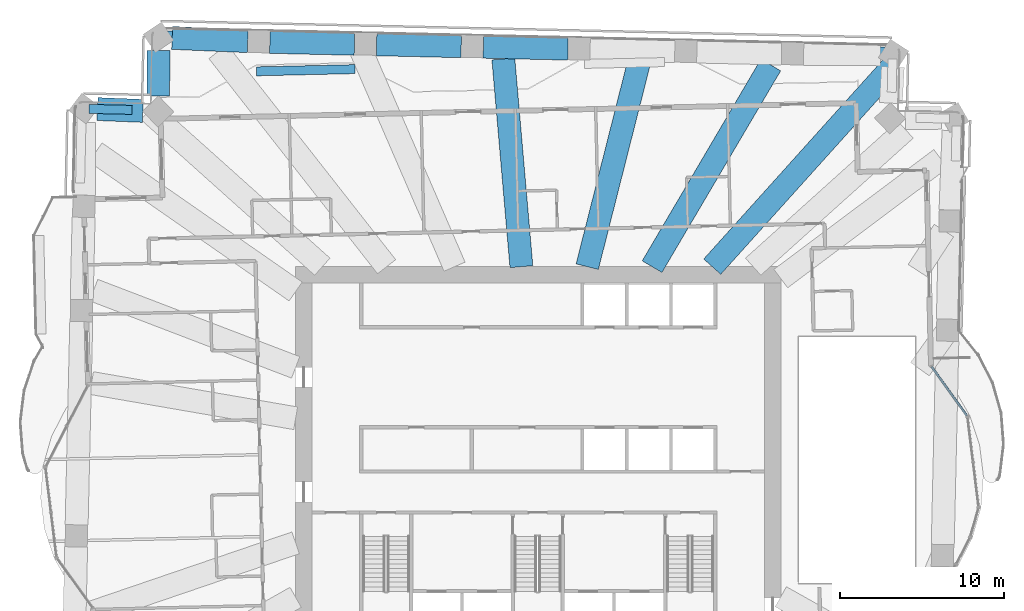
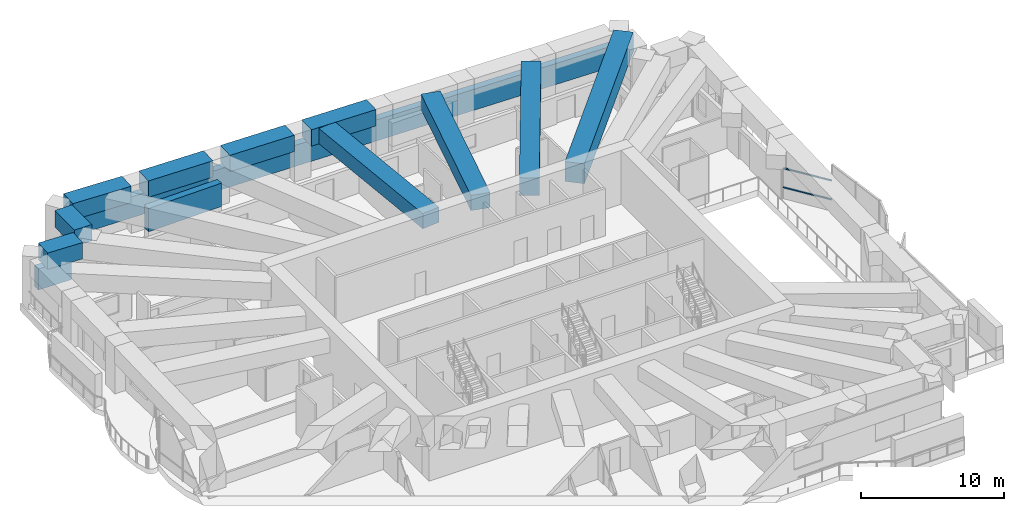
# One storey, part 6 of 21: 10 beams, 5 members, 1 element without a shape of its own.
"""IFC4 building model written with IfcOpenShell, lengths in metres."""

from ifc_helpers import new_model, si_unit, direction, frame, origin, origin_2d, place, context, subcontext, project, spatial, rectangle, extrude, material, material_profile, profile_set, type_object, element, aggregate, save


model = new_model("IFC4")

# Units and contexts
model_context = context("Model", 3, precision=1e-05, world=origin(), true_north=direction((0.0, 1.0)))
body_context = subcontext(model_context, "Body", "Model", "MODEL_VIEW")
ifc_project = project(units=[si_unit("LENGTHUNIT", "METRE"), si_unit("AREAUNIT", "SQUARE_METRE"), si_unit("VOLUMEUNIT", "CUBIC_METRE"), si_unit("PLANEANGLEUNIT", "RADIAN"), si_unit("MASSUNIT", "GRAM", prefix="KILO")], contexts=[model_context])

# Site, building, storey
site_placement = place(None, origin())
site = spatial("IfcSite", under=ifc_project, at=site_placement, CompositionType="ELEMENT")
building_placement = place(site_placement, origin())
building = spatial("IfcBuilding", under=site, at=building_placement, Name="Mangrove Gate Tower", CompositionType="ELEMENT")
storey_placement = place(building_placement, frame((0.0, 0.0, 125.5)))
storey = spatial("IfcBuildingStorey", under=building, at=storey_placement, Name="L31", CompositionType="ELEMENT", Elevation=125.5)

# Members
ifc_material_1 = material(Name="Planting on aluminium trellis", Category="aluminium")
ifc_material_profile_1 = material_profile(ifc_material_1, rectangle(XDim=0.550048828125, YDim=2.0, at=origin_2d()))
ifc_profile_set_1 = profile_set([ifc_material_profile_1], Name="Planting on aluminium trellis")
member_type_1 = type_object("IfcMemberType", Name="Balcony greenery screen 550x2000", PredefinedType="USERDEFINED", material=ifc_profile_set_1)
member_1_placement = place(storey_placement, frame((-17.179931640625, 23.718017578125, 1.800048828125), z_axis=(0.999743178102, 0.022662255828, 0.0), x_axis=(-0.022662255828, 0.999743178102, 0.0)))
element("IfcMember", 1, at=member_1_placement, inside=storey, type_object=member_type_1, Name="GREEN SCREEN L31 N1.1", ObjectType="PLANTING", PredefinedType="USERDEFINED", context=body_context, shape_type="SweptSolid", body=[
    extrude(rectangle(XDim=0.550048828125, YDim=2.0, at=origin_2d()), origin(), (0.0, 0.0, 1.0), 6.00048828125),
])
ifc_material_2 = material(Name="Planting on aluminium trellis", Category="aluminium")
ifc_material_profile_2 = material_profile(ifc_material_2, rectangle(XDim=0.550048828125, YDim=1.800048828125, at=origin_2d()))
ifc_profile_set_2 = profile_set([ifc_material_profile_2], Name="Planting on aluminium trellis")
member_type_2 = type_object("IfcMemberType", Name="Roof greenery screen 550x1800", PredefinedType="USERDEFINED", material=ifc_profile_set_2)
member_2_placement = place(storey_placement, frame((-27.412109375, 21.426025390625, 1.699951171875), z_axis=(0.999740783297, -0.022767657165, 0.0), x_axis=(0.022767657165, 0.999740783297, 0.0)))
element("IfcMember", 2, at=member_2_placement, inside=storey, type_object=member_type_2, Name="GREEN SCREEN L31 T1.2.6", ObjectType="PLANTING", PredefinedType="USERDEFINED", context=body_context, shape_type="SweptSolid", body=[
    extrude(rectangle(XDim=0.550048828125, YDim=1.800048828125, at=origin_2d()), origin(), (0.0, 0.0, 1.0), 2.637939453125),
])
member_3_placement = place(storey_placement, frame((-22.708984375, 25.919921875, 1.699951171875), z_axis=(0.999742770494, -0.022680230258, 0.0), x_axis=(0.022680230258, 0.999742770494, 0.0)))
element("IfcMember", 3, at=member_3_placement, inside=storey, type_object=member_type_2, Name="GREEN SCREEN L31 T1.3.6", ObjectType="PLANTING", PredefinedType="USERDEFINED", context=body_context, shape_type="SweptSolid", body=[
    extrude(rectangle(XDim=0.550048828125, YDim=1.800048828125, at=origin_2d()), origin(), (0.0, 0.0, 1.0), 43.908203125),
])

# Curtain wall, members
ifc_material_3 = material(Name="Aluminium and glass curtain wall", Category="aluminium")
curtain_wall_type = type_object("IfcCurtainWallType", Name="Sky-lounge glazing wall", PredefinedType="NOTDEFINED", material=ifc_material_3)
curtain_wall_placement = place(storey_placement, origin())
curtain_wall = element("IfcCurtainWall", 4, at=curtain_wall_placement, inside=storey, type_object=curtain_wall_type, Name="Sky-lounge glazing E1f5", PredefinedType="NOTDEFINED")
ifc_material_4 = material(Name="Aluminium alloy 6063-T6", Category="aluminium")
ifc_material_profile_3 = material_profile(ifc_material_4, rectangle(XDim=0.06005859375, YDim=0.139892578125, at=origin_2d()))
ifc_profile_set_3 = profile_set([ifc_material_profile_3], Name="Aluminium alloy 6063-T6")
member_type_3 = type_object("IfcMemberType", Name="Sky-lounge glazing transom 60x140", PredefinedType="USERDEFINED", material=ifc_profile_set_3)
member_4_placement = place(storey_placement, frame((26.15283203125, 2.70263671875, 1.0), z_axis=(-0.583653741827, 0.812002653722, 0.0), x_axis=(0.0, 0.0, 1.0)))
member_4 = element("IfcMember", 5, at=member_4_placement, type_object=member_type_3, Name="CWK transom 1.2", ObjectType="TRANSOM", PredefinedType="USERDEFINED", context=body_context, shape_type="SweptSolid", body=[
    extrude(rectangle(XDim=0.06005859375, YDim=0.139892578125, at=origin_2d()), origin(), (0.0, 0.0, 1.0), 3.696044921875),
])
member_5_placement = place(storey_placement, frame((26.15283203125, 2.70263671875, 2.6201171875), z_axis=(-0.583653741827, 0.812002653722, 0.0), x_axis=(0.0, 0.0, 1.0)))
member_5 = element("IfcMember", 6, at=member_5_placement, type_object=member_type_3, Name="CWK transom 1.3", ObjectType="TRANSOM", PredefinedType="USERDEFINED", context=body_context, shape_type="SweptSolid", body=[
    extrude(rectangle(XDim=0.06005859375, YDim=0.139892578125, at=origin_2d()), origin(), (0.0, 0.0, 1.0), 3.696044921875),
])
aggregate(curtain_wall, [member_4, member_5])

# Beams
ifc_material_5 = material(Name="Concrete C70/85", Category="concrete")
ifc_material_profile_4 = material_profile(ifc_material_5, rectangle(XDim=1.39990234375, YDim=1.300048828125, at=origin_2d()))
ifc_profile_set_4 = profile_set([ifc_material_profile_4], Name="Concrete C70/85")
beam_type_1 = type_object("IfcBeamType", Name="Transfer girder RC 1400x1300 C70/85", PredefinedType="BEAM", material=ifc_profile_set_4)
beam_1_placement = place(storey_placement, frame((2.99072265625, 11.800048828125, 3.39990234375), z_axis=(0.245669767442, 0.969353581189, 0.0), x_axis=(-0.969353581189, 0.245669767442, 0.0)))
element("IfcBeam", 7, at=beam_1_placement, inside=storey, type_object=beam_type_1, Name="Transfer girder L31 21", PredefinedType="BEAM", context=body_context, shape_type="SweptSolid", body=[
    extrude(rectangle(XDim=1.39990234375, YDim=1.300048828125, at=origin_2d()), origin(), (0.0, 0.0, 1.0), 12.898193359375),
])
beam_2_placement = place(storey_placement, frame((-1.0263671875, 11.800048828125, 3.39990234375), z_axis=(-0.086642862806, 0.996239436242, 0.0), x_axis=(-0.996239436242, -0.086642862806, 0.0)))
element("IfcBeam", 8, at=beam_2_placement, inside=storey, type_object=beam_type_1, Name="Transfer girder L31 22", PredefinedType="BEAM", context=body_context, shape_type="SweptSolid", body=[
    extrude(rectangle(XDim=1.39990234375, YDim=1.300048828125, at=origin_2d()), origin(), (0.0, 0.0, 1.0), 12.72509765625),
])
ifc_material_6 = material(Name="Concrete C70/85", Category="concrete")
ifc_material_profile_5 = material_profile(ifc_material_6, rectangle(XDim=1.39990234375, YDim=1.39990234375, at=origin_2d()))
ifc_profile_set_5 = profile_set([ifc_material_profile_5], Name="Concrete C70/85")
beam_type_2 = type_object("IfcBeamType", Name="Transfer girder RC 1400x1400 C70/85", PredefinedType="BEAM", material=ifc_profile_set_5)
for number, where, z_axis, x_axis, name in (
    (9, (1.81591796875, 25.103515625, 3.35009765625), (-0.999741567077, 0.022733214852, 0.0), (-0.022733214852, -0.999741567077, 0.0), "Transfer ring girder L31 23"),
    (10, (-4.6982421875, 25.25146484375, 3.35009765625), (-0.999741567077, 0.022733214852, 0.0), (-0.022733214852, -0.999741567077, 0.0), "Transfer ring girder L31 24"),
):
    element("IfcBeam", number, at=place(storey_placement, frame(where, z_axis=z_axis, x_axis=x_axis)), inside=storey, type_object=beam_type_2, Name=name, PredefinedType="BEAM", context=body_context, shape_type="SweptSolid", body=[
        extrude(rectangle(XDim=1.39990234375, YDim=1.39990234375, at=origin_2d()), origin(), (0.0, 0.0, 1.0), 5.16552734375),
    ])
beam_3_placement = place(storey_placement, frame((-11.212158203125, 25.3994140625, 3.35009765625), z_axis=(-0.999741469349, 0.022737512259, 0.0), x_axis=(-0.022737512259, -0.999741469349, 0.0)))
element("IfcBeam", 11, at=beam_3_placement, inside=storey, type_object=beam_type_2, Name="Transfer ring girder L31 25", PredefinedType="BEAM", context=body_context, shape_type="SweptSolid", body=[
    extrude(rectangle(XDim=1.39990234375, YDim=1.39990234375, at=origin_2d()), origin(), (0.0, 0.0, 1.0), 5.16455078125),
])
beam_4_placement = place(storey_placement, frame((-17.724853515625, 25.56103515625, 3.35009765625), z_axis=(-0.999087933273, 0.042700135693, 0.0), x_axis=(-0.042700135693, -0.999087933273, 0.0)))
element("IfcBeam", 12, at=beam_4_placement, inside=storey, type_object=beam_type_2, Name="Transfer ring girder L31 26", PredefinedType="BEAM", context=body_context, shape_type="SweptSolid", body=[
    extrude(rectangle(XDim=1.39990234375, YDim=1.39990234375, at=origin_2d()), origin(), (0.0, 0.0, 1.0), 4.614013671875),
])
beam_5_placement = place(storey_placement, frame((-23.175048828125, 24.978515625, 3.35009765625), z_axis=(-0.003432474059, -0.999994109044, 0.0), x_axis=(0.999994109044, -0.003432474059, 0.0)))
element("IfcBeam", 13, at=beam_5_placement, inside=storey, type_object=beam_type_2, Name="Transfer ring girder L31 27", PredefinedType="BEAM", context=body_context, shape_type="SweptSolid", body=[
    extrude(rectangle(XDim=1.39990234375, YDim=1.39990234375, at=origin_2d()), origin(), (0.0, 0.0, 1.0), 2.77392578125),
])
beam_6_placement = place(storey_placement, frame((-24.124755859375, 21.30615234375, 3.35009765625), z_axis=(-0.999174125775, 0.040633316159, 0.0), x_axis=(-0.040633316159, -0.999174125775, 0.0)))
element("IfcBeam", 14, at=beam_6_placement, inside=storey, type_object=beam_type_2, Name="Transfer ring girder L31 28", PredefinedType="BEAM", context=body_context, shape_type="SweptSolid", body=[
    extrude(rectangle(XDim=1.39990234375, YDim=1.39990234375, at=origin_2d()), origin(), (0.0, 0.0, 1.0), 2.769775390625),
])
ifc_material_7 = material(Name="Concrete C70/85", Category="concrete")
ifc_material_profile_6 = material_profile(ifc_material_7, rectangle(XDim=1.39990234375, YDim=1.5, at=origin_2d()))
ifc_profile_set_6 = profile_set([ifc_material_profile_6], Name="Concrete C70/85")
beam_type_3 = type_object("IfcBeamType", Name="Transfer girder RC 1400x1500 C70/85", PredefinedType="BEAM", material=ifc_profile_set_6)
beam_7_placement = place(storey_placement, frame((6.946044921875, 11.800048828125, 3.300048828125), z_axis=(0.507292065658, 0.861774193232, 0.0), x_axis=(-0.861774193232, 0.507292065658, 0.0)))
element("IfcBeam", 15, at=beam_7_placement, inside=storey, type_object=beam_type_3, Name="Transfer girder L31 20", PredefinedType="BEAM", context=body_context, shape_type="SweptSolid", body=[
    extrude(rectangle(XDim=1.39990234375, YDim=1.5, at=origin_2d()), origin(), (0.0, 0.0, 1.0), 14.280029296875),
])
ifc_material_8 = material(Name="Concrete C70/85", Category="concrete")
ifc_material_profile_7 = material_profile(ifc_material_8, rectangle(XDim=1.39990234375, YDim=1.699951171875, at=origin_2d()))
ifc_profile_set_7 = profile_set([ifc_material_profile_7], Name="Concrete C70/85")
beam_type_4 = type_object("IfcBeamType", Name="Transfer girder RC 1400x1700 C70/85", PredefinedType="BEAM", material=ifc_profile_set_7)
beam_8_placement = place(storey_placement, frame((10.615966796875, 11.800048828125, 3.199951171875), z_axis=(0.668828091987, 0.74341709919, 0.0), x_axis=(-0.74341709919, 0.668828091987, 0.0)))
element("IfcBeam", 16, at=beam_8_placement, inside=storey, type_object=beam_type_4, Name="Transfer girder L31 19", PredefinedType="BEAM", context=body_context, shape_type="SweptSolid", body=[
    extrude(rectangle(XDim=1.39990234375, YDim=1.699951171875, at=origin_2d()), origin(), (0.0, 0.0, 1.0), 16.48681640625),
])

save(model, "model.ifc")
